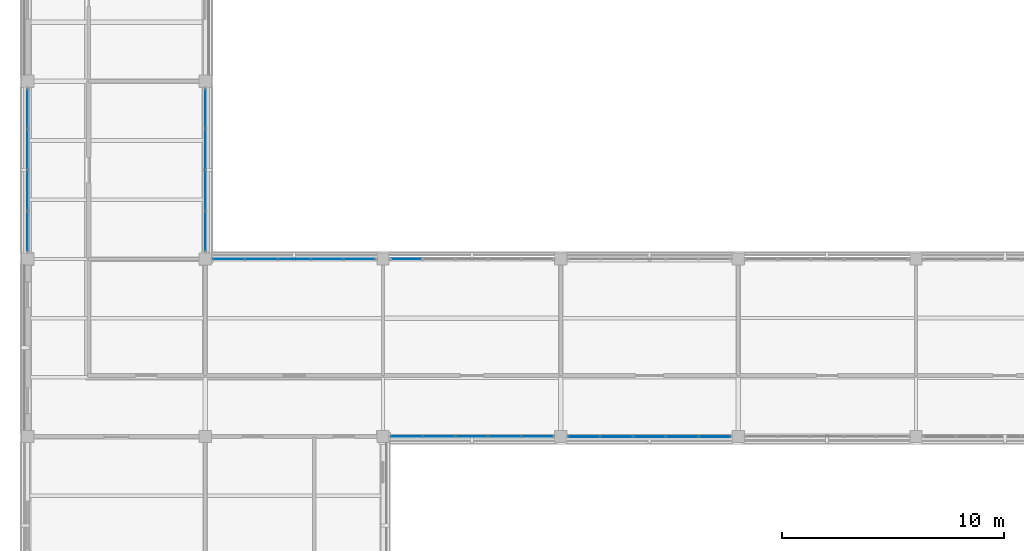
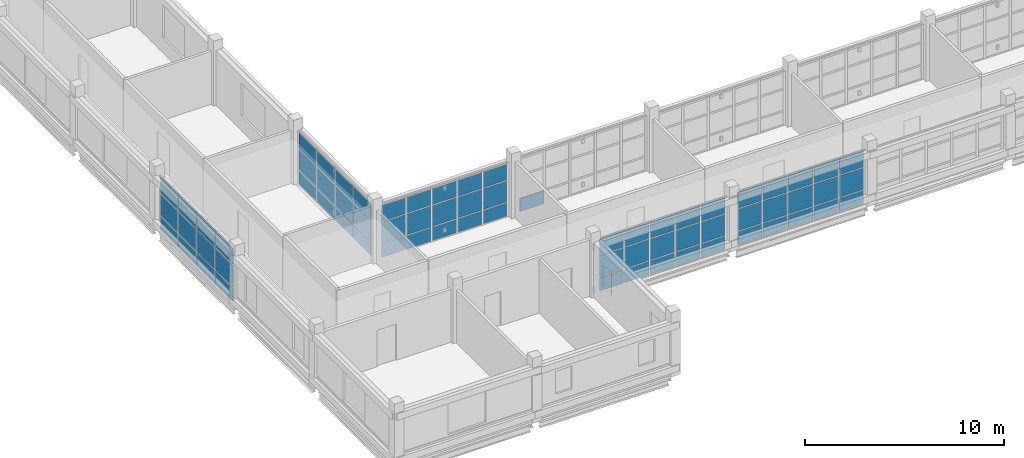
# One storey, part 48 of 92: 70 plates, 6 elements without a shape of their own.
"""IFC4 building model written with IfcOpenShell, lengths in metres."""

from ifc_helpers import new_model, si_unit, derived_unit, direction, frame, origin, origin_2d, place, context, subcontext, project, spatial, rectangle, extrude, material, layer, layer_set, type_object, element, aggregate, save


model = new_model("IFC4")

# Units and contexts
model_context = context("Model", 3, precision=1e-05, world=origin(), true_north=direction((0.0, 1.0)))
body_context = subcontext(model_context, "Body", "Model", "MODEL_VIEW")
ifc_project = project(units=[si_unit("LENGTHUNIT", "METRE"), si_unit("AREAUNIT", "SQUARE_METRE"), si_unit("VOLUMEUNIT", "CUBIC_METRE"), si_unit("PLANEANGLEUNIT", "RADIAN"), si_unit("MASSUNIT", "GRAM", prefix="KILO"), derived_unit("THERMALTRANSMITTANCEUNIT", [(si_unit("MASSUNIT", "GRAM", prefix="KILO"), 1), (si_unit("TIMEUNIT", "SECOND"), -3), (si_unit("THERMODYNAMICTEMPERATUREUNIT", "KELVIN"), -1)])], contexts=[model_context])

# Site, building, storey
site_placement = place(None, origin())
site = spatial("IfcSite", under=ifc_project, at=site_placement, CompositionType="ELEMENT")
building_placement = place(site_placement, origin())
building = spatial("IfcBuilding", under=site, at=building_placement, Name="Veyamyaing Civic Hall", CompositionType="ELEMENT")
storey_placement = place(building_placement, frame((0.0, 0.0, 17.820068359375)))
storey = spatial("IfcBuildingStorey", under=building, at=storey_placement, Name="L04", CompositionType="ELEMENT", Elevation=17.820068359375)

# Curtain wall, plates
ifc_material_1 = material(Name="Anodised aluminium 6063-T6", Category="aluminium")
ifc_layer_1 = layer(ifc_material_1, 0.159912109375, Name="Anodised aluminium 6063-T6")
ifc_layer_set_1 = layer_set([ifc_layer_1], Name="Anodised aluminium 6063-T6")
curtain_wall_type_1 = type_object("IfcCurtainWallType", Name="CW-08", PredefinedType="NOTDEFINED", material=ifc_layer_set_1)
curtain_wall_1_placement = place(storey_placement, origin())
curtain_wall_1 = element("IfcCurtainWall", 1, at=curtain_wall_1_placement, inside=storey, type_object=curtain_wall_type_1, Name="Unitized curtain wall CW-08 L04 W 1.8", PredefinedType="NOTDEFINED")
ifc_material_2 = material(Name="Low-E insulated glass", Category="glass")
ifc_layer_2 = layer(ifc_material_2, 0.028076171875, Name="Low-E insulated glass")
ifc_layer_set_2 = layer_set([ifc_layer_2], Name="Low-E insulated glass")
plate_type_1 = type_object("IfcPlateType", Name="CWP-01", PredefinedType="CURTAIN_PANEL", material=ifc_layer_set_2)
plate_1_placement = place(storey_placement, frame((0.0, 57.2451171875, 0.06494140625), z_axis=(0.0, 0.0, 1.0), x_axis=(0.0, 1.0, 0.0)))
plate_1 = element("IfcPlate", 2, at=plate_1_placement, type_object=plate_type_1, Name="CW-08 panel 1.1", PredefinedType="CURTAIN_PANEL", context=body_context, shape_type="SweptSolid", body=[
    extrude(rectangle(XDim=1.75, YDim=0.028076171875, at=origin_2d()), origin(), (0.0, 0.0, 1.0), 0.802490234375),
])
plate_2_placement = place(storey_placement, frame((0.0, 57.2451171875, 0.932373046875), z_axis=(0.0, 0.0, 1.0), x_axis=(0.0, 1.0, 0.0)))
plate_2 = element("IfcPlate", 3, at=plate_2_placement, type_object=plate_type_1, Name="CW-08 panel 1.2", PredefinedType="CURTAIN_PANEL", context=body_context, shape_type="SweptSolid", body=[
    extrude(rectangle(XDim=1.75, YDim=0.028076171875, at=origin_2d()), origin(), (0.0, 0.0, 1.0), 1.314453125),
])
plate_3_placement = place(storey_placement, frame((0.0, 57.2451171875, 2.311767578125), z_axis=(0.0, 0.0, 1.0), x_axis=(0.0, 1.0, 0.0)))
plate_3 = element("IfcPlate", 4, at=plate_3_placement, type_object=plate_type_1, Name="CW-08 panel 1.3", PredefinedType="CURTAIN_PANEL", context=body_context, shape_type="SweptSolid", body=[
    extrude(rectangle(XDim=1.75, YDim=0.028076171875, at=origin_2d()), origin(), (0.0, 0.0, 1.0), 0.97509765625),
])
plate_4_placement = place(storey_placement, frame((0.0, 59.076171875, 0.06494140625), z_axis=(0.0, 0.0, 1.0), x_axis=(0.0, 1.0, 0.0)))
plate_4 = element("IfcPlate", 5, at=plate_4_placement, type_object=plate_type_1, Name="CW-08 panel 2.1", PredefinedType="CURTAIN_PANEL", context=body_context, shape_type="SweptSolid", body=[
    extrude(rectangle(XDim=1.782470703125, YDim=0.028076171875, at=origin_2d()), origin(), (0.0, 0.0, 1.0), 0.802490234375),
])
plate_5_placement = place(storey_placement, frame((0.0, 59.076171875, 0.932373046875), z_axis=(0.0, 0.0, 1.0), x_axis=(0.0, 1.0, 0.0)))
plate_5 = element("IfcPlate", 6, at=plate_5_placement, type_object=plate_type_1, Name="CW-08 panel 2.2", PredefinedType="CURTAIN_PANEL", context=body_context, shape_type="SweptSolid", body=[
    extrude(rectangle(XDim=1.782470703125, YDim=0.028076171875, at=origin_2d()), origin(), (0.0, 0.0, 1.0), 1.314453125),
])
plate_6_placement = place(storey_placement, frame((0.0, 59.076171875, 2.311767578125), z_axis=(0.0, 0.0, 1.0), x_axis=(0.0, 1.0, 0.0)))
plate_6 = element("IfcPlate", 7, at=plate_6_placement, type_object=plate_type_1, Name="CW-08 panel 2.3", PredefinedType="CURTAIN_PANEL", context=body_context, shape_type="SweptSolid", body=[
    extrude(rectangle(XDim=1.782470703125, YDim=0.028076171875, at=origin_2d()), origin(), (0.0, 0.0, 1.0), 0.97509765625),
])
plate_7_placement = place(storey_placement, frame((0.0, 60.923828125, 0.06494140625), z_axis=(0.0, 0.0, 1.0), x_axis=(0.0, 1.0, 0.0)))
plate_7 = element("IfcPlate", 8, at=plate_7_placement, type_object=plate_type_1, Name="CW-08 panel 3.1", PredefinedType="CURTAIN_PANEL", context=body_context, shape_type="SweptSolid", body=[
    extrude(rectangle(XDim=1.782470703125, YDim=0.028076171875, at=origin_2d()), origin(), (0.0, 0.0, 1.0), 0.802490234375),
])
plate_8_placement = place(storey_placement, frame((0.0, 60.923828125, 0.932373046875), z_axis=(0.0, 0.0, 1.0), x_axis=(0.0, 1.0, 0.0)))
plate_8 = element("IfcPlate", 9, at=plate_8_placement, type_object=plate_type_1, Name="CW-08 panel 3.2", PredefinedType="CURTAIN_PANEL", context=body_context, shape_type="SweptSolid", body=[
    extrude(rectangle(XDim=1.782470703125, YDim=0.028076171875, at=origin_2d()), origin(), (0.0, 0.0, 1.0), 1.314453125),
])
plate_9_placement = place(storey_placement, frame((0.0, 60.923828125, 2.311767578125), z_axis=(0.0, 0.0, 1.0), x_axis=(0.0, 1.0, 0.0)))
plate_9 = element("IfcPlate", 10, at=plate_9_placement, type_object=plate_type_1, Name="CW-08 panel 3.3", PredefinedType="CURTAIN_PANEL", context=body_context, shape_type="SweptSolid", body=[
    extrude(rectangle(XDim=1.782470703125, YDim=0.028076171875, at=origin_2d()), origin(), (0.0, 0.0, 1.0), 0.97509765625),
])
plate_10_placement = place(storey_placement, frame((0.0, 62.7548828125, 0.06494140625), z_axis=(0.0, 0.0, 1.0), x_axis=(0.0, 1.0, 0.0)))
plate_10 = element("IfcPlate", 11, at=plate_10_placement, type_object=plate_type_1, Name="CW-08 panel 4.1", PredefinedType="CURTAIN_PANEL", context=body_context, shape_type="SweptSolid", body=[
    extrude(rectangle(XDim=1.75, YDim=0.028076171875, at=origin_2d()), origin(), (0.0, 0.0, 1.0), 0.802490234375),
])
plate_11_placement = place(storey_placement, frame((0.0, 62.7548828125, 0.932373046875), z_axis=(0.0, 0.0, 1.0), x_axis=(0.0, 1.0, 0.0)))
plate_11 = element("IfcPlate", 12, at=plate_11_placement, type_object=plate_type_1, Name="CW-08 panel 4.2", PredefinedType="CURTAIN_PANEL", context=body_context, shape_type="SweptSolid", body=[
    extrude(rectangle(XDim=1.75, YDim=0.028076171875, at=origin_2d()), origin(), (0.0, 0.0, 1.0), 1.314453125),
])
plate_12_placement = place(storey_placement, frame((0.0, 62.7548828125, 2.311767578125), z_axis=(0.0, 0.0, 1.0), x_axis=(0.0, 1.0, 0.0)))
plate_12 = element("IfcPlate", 13, at=plate_12_placement, type_object=plate_type_1, Name="CW-08 panel 4.3", PredefinedType="CURTAIN_PANEL", context=body_context, shape_type="SweptSolid", body=[
    extrude(rectangle(XDim=1.75, YDim=0.028076171875, at=origin_2d()), origin(), (0.0, 0.0, 1.0), 0.97509765625),
])
aggregate(curtain_wall_1, [plate_1, plate_2, plate_3, plate_4, plate_5, plate_6, plate_7, plate_8, plate_9, plate_10, plate_11, plate_12])

curtain_wall_2_placement = place(storey_placement, origin())
curtain_wall_2 = element("IfcCurtainWall", 14, at=curtain_wall_2_placement, inside=storey, type_object=curtain_wall_type_1, Name="Unitized curtain wall CW-08 L04 E 1.8", PredefinedType="NOTDEFINED")
plate_13_placement = place(storey_placement, frame((8.0, 57.2451171875, 0.06494140625), z_axis=(0.0, 0.0, 1.0), x_axis=(0.0, 1.0, 0.0)))
plate_13 = element("IfcPlate", 15, at=plate_13_placement, type_object=plate_type_1, Name="CW-08 panel 1.1", PredefinedType="CURTAIN_PANEL", context=body_context, shape_type="SweptSolid", body=[
    extrude(rectangle(XDim=1.75, YDim=0.028076171875, at=origin_2d()), origin(), (0.0, 0.0, 1.0), 0.802490234375),
])
plate_14_placement = place(storey_placement, frame((8.0, 57.2451171875, 0.9326171875), z_axis=(0.0, 0.0, 1.0), x_axis=(0.0, 1.0, 0.0)))
plate_14 = element("IfcPlate", 16, at=plate_14_placement, type_object=plate_type_1, Name="CW-08 panel 1.2", PredefinedType="CURTAIN_PANEL", context=body_context, shape_type="SweptSolid", body=[
    extrude(rectangle(XDim=1.75, YDim=0.028076171875, at=origin_2d()), origin(), (0.0, 0.0, 1.0), 1.268798828125),
])
plate_15_placement = place(storey_placement, frame((8.0, 57.2451171875, 2.266357421875), z_axis=(0.0, 0.0, 1.0), x_axis=(0.0, 1.0, 0.0)))
plate_15 = element("IfcPlate", 17, at=plate_15_placement, type_object=plate_type_1, Name="CW-08 panel 1.3", PredefinedType="CURTAIN_PANEL", context=body_context, shape_type="SweptSolid", body=[
    extrude(rectangle(XDim=1.75, YDim=0.028076171875, at=origin_2d()), origin(), (0.0, 0.0, 1.0), 0.95361328125),
])
plate_16_placement = place(storey_placement, frame((8.0, 59.076171875, 0.06494140625), z_axis=(0.0, 0.0, 1.0), x_axis=(0.0, 1.0, 0.0)))
plate_16 = element("IfcPlate", 18, at=plate_16_placement, type_object=plate_type_1, Name="CW-08 panel 2.1", PredefinedType="CURTAIN_PANEL", context=body_context, shape_type="SweptSolid", body=[
    extrude(rectangle(XDim=1.782470703125, YDim=0.028076171875, at=origin_2d()), origin(), (0.0, 0.0, 1.0), 0.802490234375),
])
plate_17_placement = place(storey_placement, frame((8.0, 59.076171875, 0.9326171875), z_axis=(0.0, 0.0, 1.0), x_axis=(0.0, 1.0, 0.0)))
plate_17 = element("IfcPlate", 19, at=plate_17_placement, type_object=plate_type_1, Name="CW-08 panel 2.2", PredefinedType="CURTAIN_PANEL", context=body_context, shape_type="SweptSolid", body=[
    extrude(rectangle(XDim=1.782470703125, YDim=0.028076171875, at=origin_2d()), origin(), (0.0, 0.0, 1.0), 1.268798828125),
])
plate_18_placement = place(storey_placement, frame((8.0, 59.076171875, 2.266357421875), z_axis=(0.0, 0.0, 1.0), x_axis=(0.0, 1.0, 0.0)))
plate_18 = element("IfcPlate", 20, at=plate_18_placement, type_object=plate_type_1, Name="CW-08 panel 2.3", PredefinedType="CURTAIN_PANEL", context=body_context, shape_type="SweptSolid", body=[
    extrude(rectangle(XDim=1.782470703125, YDim=0.028076171875, at=origin_2d()), origin(), (0.0, 0.0, 1.0), 0.95361328125),
])
plate_19_placement = place(storey_placement, frame((8.0, 60.923828125, 0.06494140625), z_axis=(0.0, 0.0, 1.0), x_axis=(0.0, 1.0, 0.0)))
plate_19 = element("IfcPlate", 21, at=plate_19_placement, type_object=plate_type_1, Name="CW-08 panel 3.1", PredefinedType="CURTAIN_PANEL", context=body_context, shape_type="SweptSolid", body=[
    extrude(rectangle(XDim=1.782470703125, YDim=0.028076171875, at=origin_2d()), origin(), (0.0, 0.0, 1.0), 0.802490234375),
])
plate_20_placement = place(storey_placement, frame((8.0, 60.923828125, 0.9326171875), z_axis=(0.0, 0.0, 1.0), x_axis=(0.0, 1.0, 0.0)))
plate_20 = element("IfcPlate", 22, at=plate_20_placement, type_object=plate_type_1, Name="CW-08 panel 3.2", PredefinedType="CURTAIN_PANEL", context=body_context, shape_type="SweptSolid", body=[
    extrude(rectangle(XDim=1.782470703125, YDim=0.028076171875, at=origin_2d()), origin(), (0.0, 0.0, 1.0), 1.268798828125),
])
plate_21_placement = place(storey_placement, frame((8.0, 60.923828125, 2.266357421875), z_axis=(0.0, 0.0, 1.0), x_axis=(0.0, 1.0, 0.0)))
plate_21 = element("IfcPlate", 23, at=plate_21_placement, type_object=plate_type_1, Name="CW-08 panel 3.3", PredefinedType="CURTAIN_PANEL", context=body_context, shape_type="SweptSolid", body=[
    extrude(rectangle(XDim=1.782470703125, YDim=0.028076171875, at=origin_2d()), origin(), (0.0, 0.0, 1.0), 0.95361328125),
])
plate_22_placement = place(storey_placement, frame((8.0, 62.7548828125, 0.06494140625), z_axis=(0.0, 0.0, 1.0), x_axis=(0.0, 1.0, 0.0)))
plate_22 = element("IfcPlate", 24, at=plate_22_placement, type_object=plate_type_1, Name="CW-08 panel 4.1", PredefinedType="CURTAIN_PANEL", context=body_context, shape_type="SweptSolid", body=[
    extrude(rectangle(XDim=1.75, YDim=0.028076171875, at=origin_2d()), origin(), (0.0, 0.0, 1.0), 0.802490234375),
])
plate_23_placement = place(storey_placement, frame((8.0, 62.7548828125, 0.9326171875), z_axis=(0.0, 0.0, 1.0), x_axis=(0.0, 1.0, 0.0)))
plate_23 = element("IfcPlate", 25, at=plate_23_placement, type_object=plate_type_1, Name="CW-08 panel 4.2", PredefinedType="CURTAIN_PANEL", context=body_context, shape_type="SweptSolid", body=[
    extrude(rectangle(XDim=1.75, YDim=0.028076171875, at=origin_2d()), origin(), (0.0, 0.0, 1.0), 1.268798828125),
])
plate_24_placement = place(storey_placement, frame((8.0, 62.7548828125, 2.266357421875), z_axis=(0.0, 0.0, 1.0), x_axis=(0.0, 1.0, 0.0)))
plate_24 = element("IfcPlate", 26, at=plate_24_placement, type_object=plate_type_1, Name="CW-08 panel 4.3", PredefinedType="CURTAIN_PANEL", context=body_context, shape_type="SweptSolid", body=[
    extrude(rectangle(XDim=1.75, YDim=0.028076171875, at=origin_2d()), origin(), (0.0, 0.0, 1.0), 0.95361328125),
])
aggregate(curtain_wall_2, [plate_13, plate_14, plate_15, plate_16, plate_17, plate_18, plate_19, plate_20, plate_21, plate_22, plate_23, plate_24])

ifc_layer_3 = layer(ifc_material_1, 0.139892578125, Name="Anodised aluminium 6063-T6")
ifc_layer_set_3 = layer_set([ifc_layer_3], Name="Anodised aluminium 6063-T6")
curtain_wall_type_2 = type_object("IfcCurtainWallType", Name="CW-04", PredefinedType="NOTDEFINED", material=ifc_layer_set_3)
curtain_wall_3_placement = place(storey_placement, origin())
curtain_wall_3 = element("IfcCurtainWall", 27, at=curtain_wall_3_placement, inside=storey, type_object=curtain_wall_type_2, Name="Unitized curtain wall CW-04 L04 N 2.7", PredefinedType="NOTDEFINED")
plate_25_placement = place(storey_placement, frame((9.05908203125, 56.0, 0.059814453125), z_axis=(0.0, 0.0, 1.0), x_axis=(1.0, 0.0, 0.0)))
plate_25 = element("IfcPlate", 28, at=plate_25_placement, type_object=plate_type_1, Name="CW-04 panel 1.1", PredefinedType="CURTAIN_PANEL", context=body_context, shape_type="SweptSolid", body=[
    extrude(rectangle(XDim=1.387939453125, YDim=0.028076171875, at=origin_2d()), origin(), (0.0, 0.0, 1.0), 0.81005859375),
])
plate_26_placement = place(storey_placement, frame((9.05908203125, 56.0, 0.93017578125), z_axis=(0.0, 0.0, 1.0), x_axis=(1.0, 0.0, 0.0)))
plate_26 = element("IfcPlate", 29, at=plate_26_placement, type_object=plate_type_1, Name="CW-04 panel 1.2", PredefinedType="CURTAIN_PANEL", context=body_context, shape_type="SweptSolid", body=[
    extrude(rectangle(XDim=1.387939453125, YDim=0.028076171875, at=origin_2d()), origin(), (0.0, 0.0, 1.0), 1.273681640625),
])
plate_27_placement = place(storey_placement, frame((9.05908203125, 56.0, 2.263671875), z_axis=(0.0, 0.0, 1.0), x_axis=(1.0, 0.0, 0.0)))
plate_27 = element("IfcPlate", 30, at=plate_27_placement, type_object=plate_type_1, Name="CW-04 panel 1.3", PredefinedType="CURTAIN_PANEL", context=body_context, shape_type="SweptSolid", body=[
    extrude(rectangle(XDim=1.387939453125, YDim=0.028076171875, at=origin_2d()), origin(), (0.0, 0.0, 1.0), 0.961181640625),
])
plate_28_placement = place(storey_placement, frame((10.52197265625, 56.0, 0.059814453125), z_axis=(0.0, 0.0, 1.0), x_axis=(1.0, 0.0, 0.0)))
plate_28 = element("IfcPlate", 31, at=plate_28_placement, type_object=plate_type_1, Name="CW-04 panel 2.1", PredefinedType="CURTAIN_PANEL", context=body_context, shape_type="SweptSolid", body=[
    extrude(rectangle(XDim=1.41796875, YDim=0.028076171875, at=origin_2d()), origin(), (0.0, 0.0, 1.0), 0.81005859375),
])
plate_29_placement = place(storey_placement, frame((10.52197265625, 56.0, 0.93017578125), z_axis=(0.0, 0.0, 1.0), x_axis=(1.0, 0.0, 0.0)))
plate_29 = element("IfcPlate", 32, at=plate_29_placement, type_object=plate_type_1, Name="CW-04 panel 2.2", PredefinedType="CURTAIN_PANEL", context=body_context, shape_type="SweptSolid", body=[
    extrude(rectangle(XDim=1.41796875, YDim=0.028076171875, at=origin_2d()), origin(), (0.0, 0.0, 1.0), 1.273681640625),
])
plate_30_placement = place(storey_placement, frame((10.52197265625, 56.0, 2.263671875), z_axis=(0.0, 0.0, 1.0), x_axis=(1.0, 0.0, 0.0)))
plate_30 = element("IfcPlate", 33, at=plate_30_placement, type_object=plate_type_1, Name="CW-04 panel 2.3", PredefinedType="CURTAIN_PANEL", context=body_context, shape_type="SweptSolid", body=[
    extrude(rectangle(XDim=1.41796875, YDim=0.028076171875, at=origin_2d()), origin(), (0.0, 0.0, 1.0), 0.961181640625),
])
plate_31_placement = place(storey_placement, frame((12.0, 56.0, 0.059814453125), z_axis=(0.0, 0.0, 1.0), x_axis=(1.0, 0.0, 0.0)))
plate_31 = element("IfcPlate", 34, at=plate_31_placement, type_object=plate_type_1, Name="CW-04 panel 3.1", PredefinedType="CURTAIN_PANEL", context=body_context, shape_type="SweptSolid", body=[
    extrude(rectangle(XDim=1.41796875, YDim=0.028076171875, at=origin_2d()), origin(), (0.0, 0.0, 1.0), 0.81005859375),
])
plate_32_placement = place(storey_placement, frame((12.0, 56.0, 0.93017578125), z_axis=(0.0, 0.0, 1.0), x_axis=(1.0, 0.0, 0.0)))
plate_32 = element("IfcPlate", 35, at=plate_32_placement, type_object=plate_type_1, Name="CW-04 panel 3.2", PredefinedType="CURTAIN_PANEL", context=body_context, shape_type="SweptSolid", body=[
    extrude(rectangle(XDim=1.41796875, YDim=0.028076171875, at=origin_2d()), origin(), (0.0, 0.0, 1.0), 1.273681640625),
])
plate_33_placement = place(storey_placement, frame((12.0, 56.0, 2.263671875), z_axis=(0.0, 0.0, 1.0), x_axis=(1.0, 0.0, 0.0)))
plate_33 = element("IfcPlate", 36, at=plate_33_placement, type_object=plate_type_1, Name="CW-04 panel 3.3", PredefinedType="CURTAIN_PANEL", context=body_context, shape_type="SweptSolid", body=[
    extrude(rectangle(XDim=1.41796875, YDim=0.028076171875, at=origin_2d()), origin(), (0.0, 0.0, 1.0), 0.961181640625),
])
plate_34_placement = place(storey_placement, frame((13.47802734375, 56.0, 0.059814453125), z_axis=(0.0, 0.0, 1.0), x_axis=(1.0, 0.0, 0.0)))
plate_34 = element("IfcPlate", 37, at=plate_34_placement, type_object=plate_type_1, Name="CW-04 panel 4.1", PredefinedType="CURTAIN_PANEL", context=body_context, shape_type="SweptSolid", body=[
    extrude(rectangle(XDim=1.41796875, YDim=0.028076171875, at=origin_2d()), origin(), (0.0, 0.0, 1.0), 0.81005859375),
])
plate_35_placement = place(storey_placement, frame((13.47802734375, 56.0, 0.93017578125), z_axis=(0.0, 0.0, 1.0), x_axis=(1.0, 0.0, 0.0)))
plate_35 = element("IfcPlate", 38, at=plate_35_placement, type_object=plate_type_1, Name="CW-04 panel 4.2", PredefinedType="CURTAIN_PANEL", context=body_context, shape_type="SweptSolid", body=[
    extrude(rectangle(XDim=1.41796875, YDim=0.028076171875, at=origin_2d()), origin(), (0.0, 0.0, 1.0), 1.273681640625),
])
plate_36_placement = place(storey_placement, frame((13.47802734375, 56.0, 2.263671875), z_axis=(0.0, 0.0, 1.0), x_axis=(1.0, 0.0, 0.0)))
plate_36 = element("IfcPlate", 39, at=plate_36_placement, type_object=plate_type_1, Name="CW-04 panel 4.3", PredefinedType="CURTAIN_PANEL", context=body_context, shape_type="SweptSolid", body=[
    extrude(rectangle(XDim=1.41796875, YDim=0.028076171875, at=origin_2d()), origin(), (0.0, 0.0, 1.0), 0.961181640625),
])
plate_37_placement = place(storey_placement, frame((14.94091796875, 56.0, 0.059814453125), z_axis=(0.0, 0.0, 1.0), x_axis=(1.0, 0.0, 0.0)))
plate_37 = element("IfcPlate", 40, at=plate_37_placement, type_object=plate_type_1, Name="CW-04 panel 5.1", PredefinedType="CURTAIN_PANEL", context=body_context, shape_type="SweptSolid", body=[
    extrude(rectangle(XDim=1.387939453125, YDim=0.028076171875, at=origin_2d()), origin(), (0.0, 0.0, 1.0), 0.81005859375),
])
plate_38_placement = place(storey_placement, frame((14.94091796875, 56.0, 0.93017578125), z_axis=(0.0, 0.0, 1.0), x_axis=(1.0, 0.0, 0.0)))
plate_38 = element("IfcPlate", 41, at=plate_38_placement, type_object=plate_type_1, Name="CW-04 panel 5.2", PredefinedType="CURTAIN_PANEL", context=body_context, shape_type="SweptSolid", body=[
    extrude(rectangle(XDim=1.387939453125, YDim=0.028076171875, at=origin_2d()), origin(), (0.0, 0.0, 1.0), 1.273681640625),
])
plate_39_placement = place(storey_placement, frame((14.94091796875, 56.0, 2.263671875), z_axis=(0.0, 0.0, 1.0), x_axis=(1.0, 0.0, 0.0)))
plate_39 = element("IfcPlate", 42, at=plate_39_placement, type_object=plate_type_1, Name="CW-04 panel 5.3", PredefinedType="CURTAIN_PANEL", context=body_context, shape_type="SweptSolid", body=[
    extrude(rectangle(XDim=1.387939453125, YDim=0.028076171875, at=origin_2d()), origin(), (0.0, 0.0, 1.0), 0.961181640625),
])
aggregate(curtain_wall_3, [plate_25, plate_26, plate_27, plate_28, plate_29, plate_30, plate_31, plate_32, plate_33, plate_34, plate_35, plate_36, plate_37, plate_38, plate_39])

curtain_wall_4_placement = place(storey_placement, origin())
curtain_wall_4 = element("IfcCurtainWall", 43, at=curtain_wall_4_placement, inside=storey, type_object=curtain_wall_type_2, Name="Unitized curtain wall CW-04 L04 S 3.7", PredefinedType="NOTDEFINED")
ifc_layer_4 = layer(ifc_material_2, 0.031982421875, Name="Low-E insulated glass")
ifc_layer_set_4 = layer_set([ifc_layer_4], Name="Low-E insulated glass")
plate_type_2 = type_object("IfcPlateType", Name="CWP-02", PredefinedType="CURTAIN_PANEL", material=ifc_layer_set_4)
plate_40_placement = place(storey_placement, frame((17.05908203125, 48.0, 0.059814453125), z_axis=(0.0, 0.0, 1.0), x_axis=(1.0, 0.0, 0.0)))
plate_40 = element("IfcPlate", 44, at=plate_40_placement, type_object=plate_type_2, Name="CW-04 panel 1.1", PredefinedType="CURTAIN_PANEL", context=body_context, shape_type="SweptSolid", body=[
    extrude(rectangle(XDim=1.387939453125, YDim=0.031982421875, at=origin_2d()), origin(), (0.0, 0.0, 1.0), 0.81005859375),
])
plate_41_placement = place(storey_placement, frame((17.05908203125, 48.0, 0.93017578125), z_axis=(0.0, 0.0, 1.0), x_axis=(1.0, 0.0, 0.0)))
plate_41 = element("IfcPlate", 45, at=plate_41_placement, type_object=plate_type_2, Name="CW-04 panel 1.2", PredefinedType="CURTAIN_PANEL", context=body_context, shape_type="SweptSolid", body=[
    extrude(rectangle(XDim=1.387939453125, YDim=0.031982421875, at=origin_2d()), origin(), (0.0, 0.0, 1.0), 1.273681640625),
])
plate_42_placement = place(storey_placement, frame((17.05908203125, 48.0, 2.263671875), z_axis=(0.0, 0.0, 1.0), x_axis=(1.0, 0.0, 0.0)))
plate_42 = element("IfcPlate", 46, at=plate_42_placement, type_object=plate_type_2, Name="CW-04 panel 1.3", PredefinedType="CURTAIN_PANEL", context=body_context, shape_type="SweptSolid", body=[
    extrude(rectangle(XDim=1.387939453125, YDim=0.031982421875, at=origin_2d()), origin(), (0.0, 0.0, 1.0), 0.961181640625),
])
plate_43_placement = place(storey_placement, frame((18.52197265625, 48.0, 0.059814453125), z_axis=(0.0, 0.0, 1.0), x_axis=(1.0, 0.0, 0.0)))
plate_43 = element("IfcPlate", 47, at=plate_43_placement, type_object=plate_type_2, Name="CW-04 panel 2.1", PredefinedType="CURTAIN_PANEL", context=body_context, shape_type="SweptSolid", body=[
    extrude(rectangle(XDim=1.41796875, YDim=0.031982421875, at=origin_2d()), origin(), (0.0, 0.0, 1.0), 0.81005859375),
])
plate_44_placement = place(storey_placement, frame((18.52197265625, 48.0, 0.93017578125), z_axis=(0.0, 0.0, 1.0), x_axis=(1.0, 0.0, 0.0)))
plate_44 = element("IfcPlate", 48, at=plate_44_placement, type_object=plate_type_2, Name="CW-04 panel 2.2", PredefinedType="CURTAIN_PANEL", context=body_context, shape_type="SweptSolid", body=[
    extrude(rectangle(XDim=1.41796875, YDim=0.031982421875, at=origin_2d()), origin(), (0.0, 0.0, 1.0), 1.273681640625),
])
plate_45_placement = place(storey_placement, frame((18.52197265625, 48.0, 2.263671875), z_axis=(0.0, 0.0, 1.0), x_axis=(1.0, 0.0, 0.0)))
plate_45 = element("IfcPlate", 49, at=plate_45_placement, type_object=plate_type_2, Name="CW-04 panel 2.3", PredefinedType="CURTAIN_PANEL", context=body_context, shape_type="SweptSolid", body=[
    extrude(rectangle(XDim=1.41796875, YDim=0.031982421875, at=origin_2d()), origin(), (0.0, 0.0, 1.0), 0.961181640625),
])
plate_46_placement = place(storey_placement, frame((20.0, 48.0, 0.059814453125), z_axis=(0.0, 0.0, 1.0), x_axis=(1.0, 0.0, 0.0)))
plate_46 = element("IfcPlate", 50, at=plate_46_placement, type_object=plate_type_2, Name="CW-04 panel 3.1", PredefinedType="CURTAIN_PANEL", context=body_context, shape_type="SweptSolid", body=[
    extrude(rectangle(XDim=1.41796875, YDim=0.031982421875, at=origin_2d()), origin(), (0.0, 0.0, 1.0), 0.81005859375),
])
plate_47_placement = place(storey_placement, frame((20.0, 48.0, 0.93017578125), z_axis=(0.0, 0.0, 1.0), x_axis=(1.0, 0.0, 0.0)))
plate_47 = element("IfcPlate", 51, at=plate_47_placement, type_object=plate_type_2, Name="CW-04 panel 3.2", PredefinedType="CURTAIN_PANEL", context=body_context, shape_type="SweptSolid", body=[
    extrude(rectangle(XDim=1.41796875, YDim=0.031982421875, at=origin_2d()), origin(), (0.0, 0.0, 1.0), 1.273681640625),
])
plate_48_placement = place(storey_placement, frame((20.0, 48.0, 2.263671875), z_axis=(0.0, 0.0, 1.0), x_axis=(1.0, 0.0, 0.0)))
plate_48 = element("IfcPlate", 52, at=plate_48_placement, type_object=plate_type_2, Name="CW-04 panel 3.3", PredefinedType="CURTAIN_PANEL", context=body_context, shape_type="SweptSolid", body=[
    extrude(rectangle(XDim=1.41796875, YDim=0.031982421875, at=origin_2d()), origin(), (0.0, 0.0, 1.0), 0.961181640625),
])
plate_49_placement = place(storey_placement, frame((21.47802734375, 48.0, 0.059814453125), z_axis=(0.0, 0.0, 1.0), x_axis=(1.0, 0.0, 0.0)))
plate_49 = element("IfcPlate", 53, at=plate_49_placement, type_object=plate_type_2, Name="CW-04 panel 4.1", PredefinedType="CURTAIN_PANEL", context=body_context, shape_type="SweptSolid", body=[
    extrude(rectangle(XDim=1.41796875, YDim=0.031982421875, at=origin_2d()), origin(), (0.0, 0.0, 1.0), 0.81005859375),
])
plate_50_placement = place(storey_placement, frame((21.47802734375, 48.0, 0.93017578125), z_axis=(0.0, 0.0, 1.0), x_axis=(1.0, 0.0, 0.0)))
plate_50 = element("IfcPlate", 54, at=plate_50_placement, type_object=plate_type_2, Name="CW-04 panel 4.2", PredefinedType="CURTAIN_PANEL", context=body_context, shape_type="SweptSolid", body=[
    extrude(rectangle(XDim=1.41796875, YDim=0.031982421875, at=origin_2d()), origin(), (0.0, 0.0, 1.0), 1.273681640625),
])
plate_51_placement = place(storey_placement, frame((21.47802734375, 48.0, 2.263671875), z_axis=(0.0, 0.0, 1.0), x_axis=(1.0, 0.0, 0.0)))
plate_51 = element("IfcPlate", 55, at=plate_51_placement, type_object=plate_type_2, Name="CW-04 panel 4.3", PredefinedType="CURTAIN_PANEL", context=body_context, shape_type="SweptSolid", body=[
    extrude(rectangle(XDim=1.41796875, YDim=0.031982421875, at=origin_2d()), origin(), (0.0, 0.0, 1.0), 0.961181640625),
])
plate_52_placement = place(storey_placement, frame((22.94091796875, 48.0, 0.059814453125), z_axis=(0.0, 0.0, 1.0), x_axis=(1.0, 0.0, 0.0)))
plate_52 = element("IfcPlate", 56, at=plate_52_placement, type_object=plate_type_2, Name="CW-04 panel 5.1", PredefinedType="CURTAIN_PANEL", context=body_context, shape_type="SweptSolid", body=[
    extrude(rectangle(XDim=1.387939453125, YDim=0.031982421875, at=origin_2d()), origin(), (0.0, 0.0, 1.0), 0.81005859375),
])
plate_53_placement = place(storey_placement, frame((22.94091796875, 48.0, 0.93017578125), z_axis=(0.0, 0.0, 1.0), x_axis=(1.0, 0.0, 0.0)))
plate_53 = element("IfcPlate", 57, at=plate_53_placement, type_object=plate_type_2, Name="CW-04 panel 5.2", PredefinedType="CURTAIN_PANEL", context=body_context, shape_type="SweptSolid", body=[
    extrude(rectangle(XDim=1.387939453125, YDim=0.031982421875, at=origin_2d()), origin(), (0.0, 0.0, 1.0), 1.273681640625),
])
plate_54_placement = place(storey_placement, frame((22.94091796875, 48.0, 2.263671875), z_axis=(0.0, 0.0, 1.0), x_axis=(1.0, 0.0, 0.0)))
plate_54 = element("IfcPlate", 58, at=plate_54_placement, type_object=plate_type_2, Name="CW-04 panel 5.3", PredefinedType="CURTAIN_PANEL", context=body_context, shape_type="SweptSolid", body=[
    extrude(rectangle(XDim=1.387939453125, YDim=0.031982421875, at=origin_2d()), origin(), (0.0, 0.0, 1.0), 0.961181640625),
])
aggregate(curtain_wall_4, [plate_40, plate_41, plate_42, plate_43, plate_44, plate_45, plate_46, plate_47, plate_48, plate_49, plate_50, plate_51, plate_52, plate_53, plate_54])

# Curtain wall, plate
curtain_wall_5_placement = place(storey_placement, origin())
curtain_wall_5 = element("IfcCurtainWall", 59, at=curtain_wall_5_placement, inside=storey, type_object=curtain_wall_type_2, Name="Unitized curtain wall CW-04 L04 N 3.7", PredefinedType="NOTDEFINED")
plate_55_placement = place(storey_placement, frame((17.05908203125, 56.0, 0.059814453125), z_axis=(0.0, 0.0, 1.0), x_axis=(1.0, 0.0, 0.0)))
plate_55 = element("IfcPlate", 60, at=plate_55_placement, type_object=plate_type_2, Name="CW-04 panel 1.1", PredefinedType="CURTAIN_PANEL", context=body_context, shape_type="SweptSolid", body=[
    extrude(rectangle(XDim=1.387939453125, YDim=0.031982421875, at=origin_2d()), origin(), (0.0, 0.0, 1.0), 0.81005859375),
])
aggregate(curtain_wall_5, [plate_55])

# Curtain wall, plates
curtain_wall_6_placement = place(storey_placement, origin())
curtain_wall_6 = element("IfcCurtainWall", 61, at=curtain_wall_6_placement, inside=storey, type_object=curtain_wall_type_2, Name="Unitized curtain wall CW-04 L04 S 4.7", PredefinedType="NOTDEFINED")
ifc_layer_5 = layer(ifc_material_2, 0.035888671875, Name="Low-E insulated glass")
ifc_layer_set_5 = layer_set([ifc_layer_5], Name="Low-E insulated glass")
plate_type_3 = type_object("IfcPlateType", Name="CWP-03", PredefinedType="CURTAIN_PANEL", material=ifc_layer_set_5)
plate_56_placement = place(storey_placement, frame((25.05908203125, 48.0, 0.059814453125), z_axis=(0.0, 0.0, 1.0), x_axis=(1.0, 0.0, 0.0)))
plate_56 = element("IfcPlate", 62, at=plate_56_placement, type_object=plate_type_3, Name="CW-04 panel 1.1", PredefinedType="CURTAIN_PANEL", context=body_context, shape_type="SweptSolid", body=[
    extrude(rectangle(XDim=1.387939453125, YDim=0.035888671875, at=origin_2d()), origin(), (0.0, 0.0, 1.0), 0.81005859375),
])
plate_57_placement = place(storey_placement, frame((25.05908203125, 48.0, 0.929931640625), z_axis=(0.0, 0.0, 1.0), x_axis=(1.0, 0.0, 0.0)))
plate_57 = element("IfcPlate", 63, at=plate_57_placement, type_object=plate_type_3, Name="CW-04 panel 1.2", PredefinedType="CURTAIN_PANEL", context=body_context, shape_type="SweptSolid", body=[
    extrude(rectangle(XDim=1.387939453125, YDim=0.035888671875, at=origin_2d()), origin(), (0.0, 0.0, 1.0), 1.3173828125),
])
plate_58_placement = place(storey_placement, frame((25.05908203125, 48.0, 2.30712890625), z_axis=(0.0, 0.0, 1.0), x_axis=(1.0, 0.0, 0.0)))
plate_58 = element("IfcPlate", 64, at=plate_58_placement, type_object=plate_type_3, Name="CW-04 panel 1.3", PredefinedType="CURTAIN_PANEL", context=body_context, shape_type="SweptSolid", body=[
    extrude(rectangle(XDim=1.387939453125, YDim=0.035888671875, at=origin_2d()), origin(), (0.0, 0.0, 1.0), 0.981689453125),
])
plate_59_placement = place(storey_placement, frame((26.52197265625, 48.0, 0.059814453125), z_axis=(0.0, 0.0, 1.0), x_axis=(1.0, 0.0, 0.0)))
plate_59 = element("IfcPlate", 65, at=plate_59_placement, type_object=plate_type_3, Name="CW-04 panel 2.1", PredefinedType="CURTAIN_PANEL", context=body_context, shape_type="SweptSolid", body=[
    extrude(rectangle(XDim=1.41796875, YDim=0.035888671875, at=origin_2d()), origin(), (0.0, 0.0, 1.0), 0.81005859375),
])
plate_60_placement = place(storey_placement, frame((26.52197265625, 48.0, 0.929931640625), z_axis=(0.0, 0.0, 1.0), x_axis=(1.0, 0.0, 0.0)))
plate_60 = element("IfcPlate", 66, at=plate_60_placement, type_object=plate_type_3, Name="CW-04 panel 2.2", PredefinedType="CURTAIN_PANEL", context=body_context, shape_type="SweptSolid", body=[
    extrude(rectangle(XDim=1.41796875, YDim=0.035888671875, at=origin_2d()), origin(), (0.0, 0.0, 1.0), 1.3173828125),
])
plate_61_placement = place(storey_placement, frame((26.52197265625, 48.0, 2.30712890625), z_axis=(0.0, 0.0, 1.0), x_axis=(1.0, 0.0, 0.0)))
plate_61 = element("IfcPlate", 67, at=plate_61_placement, type_object=plate_type_3, Name="CW-04 panel 2.3", PredefinedType="CURTAIN_PANEL", context=body_context, shape_type="SweptSolid", body=[
    extrude(rectangle(XDim=1.41796875, YDim=0.035888671875, at=origin_2d()), origin(), (0.0, 0.0, 1.0), 0.981689453125),
])
plate_62_placement = place(storey_placement, frame((28.0, 48.0, 0.059814453125), z_axis=(0.0, 0.0, 1.0), x_axis=(1.0, 0.0, 0.0)))
plate_62 = element("IfcPlate", 68, at=plate_62_placement, type_object=plate_type_3, Name="CW-04 panel 3.1", PredefinedType="CURTAIN_PANEL", context=body_context, shape_type="SweptSolid", body=[
    extrude(rectangle(XDim=1.41796875, YDim=0.035888671875, at=origin_2d()), origin(), (0.0, 0.0, 1.0), 0.81005859375),
])
plate_63_placement = place(storey_placement, frame((28.0, 48.0, 0.929931640625), z_axis=(0.0, 0.0, 1.0), x_axis=(1.0, 0.0, 0.0)))
plate_63 = element("IfcPlate", 69, at=plate_63_placement, type_object=plate_type_3, Name="CW-04 panel 3.2", PredefinedType="CURTAIN_PANEL", context=body_context, shape_type="SweptSolid", body=[
    extrude(rectangle(XDim=1.41796875, YDim=0.035888671875, at=origin_2d()), origin(), (0.0, 0.0, 1.0), 1.3173828125),
])
plate_64_placement = place(storey_placement, frame((28.0, 48.0, 2.30712890625), z_axis=(0.0, 0.0, 1.0), x_axis=(1.0, 0.0, 0.0)))
plate_64 = element("IfcPlate", 70, at=plate_64_placement, type_object=plate_type_3, Name="CW-04 panel 3.3", PredefinedType="CURTAIN_PANEL", context=body_context, shape_type="SweptSolid", body=[
    extrude(rectangle(XDim=1.41796875, YDim=0.035888671875, at=origin_2d()), origin(), (0.0, 0.0, 1.0), 0.981689453125),
])
plate_65_placement = place(storey_placement, frame((29.47802734375, 48.0, 0.059814453125), z_axis=(0.0, 0.0, 1.0), x_axis=(1.0, 0.0, 0.0)))
plate_65 = element("IfcPlate", 71, at=plate_65_placement, type_object=plate_type_3, Name="CW-04 panel 4.1", PredefinedType="CURTAIN_PANEL", context=body_context, shape_type="SweptSolid", body=[
    extrude(rectangle(XDim=1.41796875, YDim=0.035888671875, at=origin_2d()), origin(), (0.0, 0.0, 1.0), 0.81005859375),
])
plate_66_placement = place(storey_placement, frame((29.47802734375, 48.0, 0.929931640625), z_axis=(0.0, 0.0, 1.0), x_axis=(1.0, 0.0, 0.0)))
plate_66 = element("IfcPlate", 72, at=plate_66_placement, type_object=plate_type_3, Name="CW-04 panel 4.2", PredefinedType="CURTAIN_PANEL", context=body_context, shape_type="SweptSolid", body=[
    extrude(rectangle(XDim=1.41796875, YDim=0.035888671875, at=origin_2d()), origin(), (0.0, 0.0, 1.0), 1.3173828125),
])
plate_67_placement = place(storey_placement, frame((29.47802734375, 48.0, 2.30712890625), z_axis=(0.0, 0.0, 1.0), x_axis=(1.0, 0.0, 0.0)))
plate_67 = element("IfcPlate", 73, at=plate_67_placement, type_object=plate_type_3, Name="CW-04 panel 4.3", PredefinedType="CURTAIN_PANEL", context=body_context, shape_type="SweptSolid", body=[
    extrude(rectangle(XDim=1.41796875, YDim=0.035888671875, at=origin_2d()), origin(), (0.0, 0.0, 1.0), 0.981689453125),
])
plate_68_placement = place(storey_placement, frame((30.94091796875, 48.0, 0.059814453125), z_axis=(0.0, 0.0, 1.0), x_axis=(1.0, 0.0, 0.0)))
plate_68 = element("IfcPlate", 74, at=plate_68_placement, type_object=plate_type_3, Name="CW-04 panel 5.1", PredefinedType="CURTAIN_PANEL", context=body_context, shape_type="SweptSolid", body=[
    extrude(rectangle(XDim=1.387939453125, YDim=0.035888671875, at=origin_2d()), origin(), (0.0, 0.0, 1.0), 0.81005859375),
])
plate_69_placement = place(storey_placement, frame((30.94091796875, 48.0, 0.929931640625), z_axis=(0.0, 0.0, 1.0), x_axis=(1.0, 0.0, 0.0)))
plate_69 = element("IfcPlate", 75, at=plate_69_placement, type_object=plate_type_3, Name="CW-04 panel 5.2", PredefinedType="CURTAIN_PANEL", context=body_context, shape_type="SweptSolid", body=[
    extrude(rectangle(XDim=1.387939453125, YDim=0.035888671875, at=origin_2d()), origin(), (0.0, 0.0, 1.0), 1.3173828125),
])
plate_70_placement = place(storey_placement, frame((30.94091796875, 48.0, 2.30712890625), z_axis=(0.0, 0.0, 1.0), x_axis=(1.0, 0.0, 0.0)))
plate_70 = element("IfcPlate", 76, at=plate_70_placement, type_object=plate_type_3, Name="CW-04 panel 5.3", PredefinedType="CURTAIN_PANEL", context=body_context, shape_type="SweptSolid", body=[
    extrude(rectangle(XDim=1.387939453125, YDim=0.035888671875, at=origin_2d()), origin(), (0.0, 0.0, 1.0), 0.981689453125),
])
aggregate(curtain_wall_6, [plate_56, plate_57, plate_58, plate_59, plate_60, plate_61, plate_62, plate_63, plate_64, plate_65, plate_66, plate_67, plate_68, plate_69, plate_70])

save(model, "model.ifc")
